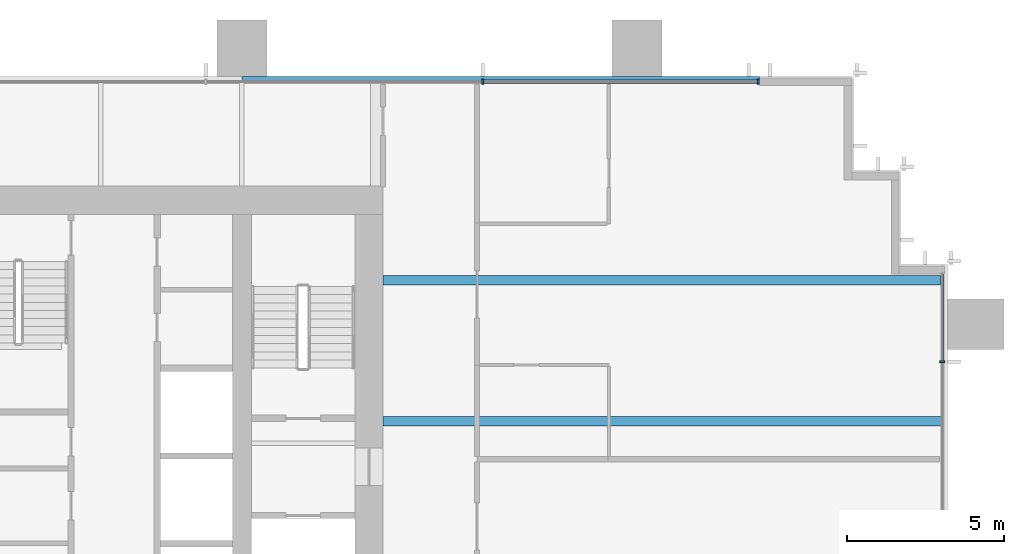
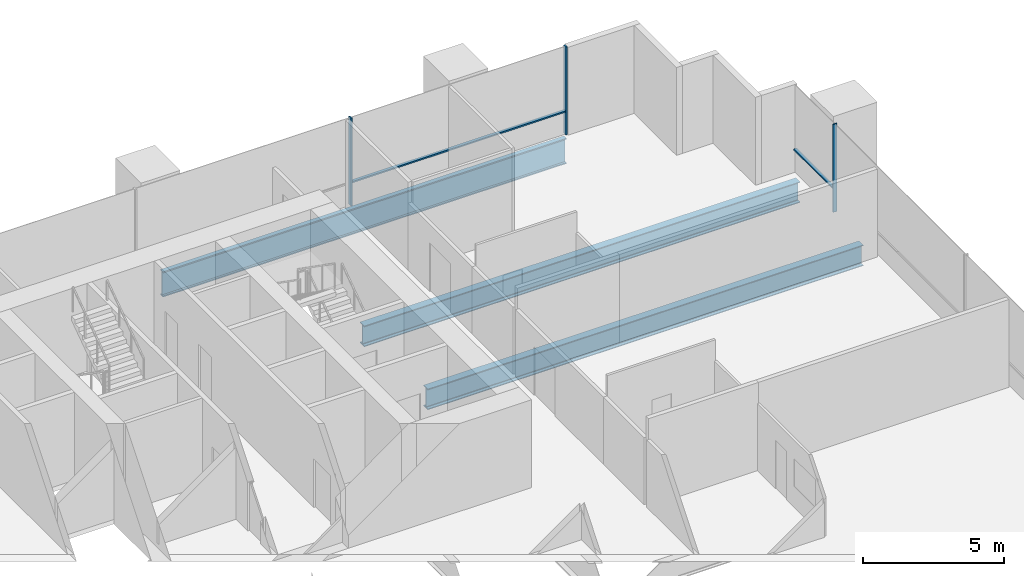
# One storey, part 10 of 17: 5 members, 3 beams, 2 elements without a shape of their own.
"""IFC4 building model written with IfcOpenShell, lengths in metres."""

import ifcopenshell
import ifcopenshell.guid

model = None  # the IFC model being written
_history = None  # IfcOwnerHistory: only IFC2X3 demands one
_inside = {}  # id of a spatial element -> (the spatial element, [elements in it])
_under = {}  # id of a project, library or spatial element -> (it, [spatial elements below it])
_declared = {}  # id of a project -> (the project, [libraries it declares])
_typed = {}  # id of a type object -> (the type object, [elements of that type])
_made_of = {}  # id of a material, layer set ... -> (it, [elements and type objects made of it])


def new_model(schema):
    """Start an empty IFC model of exactly this schema.

    Asked for "IFC4X3", IfcOpenShell would pick the latest addendum, in which some entities
    have other attributes; the version numbers below select the first issue.
    IFC2X3 requires an IfcOwnerHistory on every rooted entity: one is made here for all.
    """
    global model, _history
    if schema == "IFC4X3":
        model = ifcopenshell.file(schema_version=(4, 3, 0, 0))
    else:
        model = ifcopenshell.file(schema=schema)
    _inside.clear()
    _under.clear()
    _declared.clear()
    _typed.clear()
    _made_of.clear()
    _history = None
    if model.schema == "IFC2X3":
        org = make("IfcOrganization", Name="unknown")
        user = make(
            "IfcPersonAndOrganization",
            ThePerson=make("IfcPerson", FamilyName="unknown"),
            TheOrganization=org,
        )
        app = make(
            "IfcApplication",
            ApplicationDeveloper=org,
            Version="unknown",
            ApplicationFullName="unknown",
            ApplicationIdentifier="unknown",
        )
        _history = make(
            "IfcOwnerHistory",
            OwningUser=user,
            OwningApplication=app,
            ChangeAction="ADDED",
            CreationDate=0,
        )
    return model


def make(cls, **values):
    """One entity of the class cls with the attributes given. An attribute that is None is left unset."""
    return model.create_entity(
        cls, **{name: value for name, value in values.items() if value is not None}
    )


def rooted(cls, **values):
    """An entity with a GlobalId (a new one), such as an element, a storey or a relation."""
    return make(cls, GlobalId=ifcopenshell.guid.new(), OwnerHistory=_history, **values)


def si_unit(unit_type, name, prefix=None):
    """IfcSIUnit, for example si_unit("LENGTHUNIT", "METRE", prefix="MILLI")."""
    return make("IfcSIUnit", UnitType=unit_type, Prefix=prefix, Name=name)


def assignment(units):
    """IfcUnitAssignment: the units of a project."""
    return None if units is None else make("IfcUnitAssignment", Units=units)


def point(xyz):
    """IfcCartesianPoint."""
    return None if xyz is None else make("IfcCartesianPoint", Coordinates=xyz)


def direction(xyz):
    """IfcDirection."""
    return None if xyz is None else make("IfcDirection", DirectionRatios=xyz)


def frame(location, z_axis=None, x_axis=None):
    """IfcAxis2Placement3D, a coordinate frame: its origin and axes. An axis left out is left unset."""
    return make(
        "IfcAxis2Placement3D",
        Location=point(location),
        Axis=direction(z_axis),
        RefDirection=direction(x_axis),
    )


def frame_2d(location, x_axis=None):
    """IfcAxis2Placement2D, a coordinate frame in the plane: its origin and x axis."""
    return make(
        "IfcAxis2Placement2D", Location=point(location), RefDirection=direction(x_axis)
    )


def origin():
    """The frame at (0, 0, 0) with its axes left unset."""
    return frame((0.0, 0.0, 0.0))


def origin_2d():
    """The frame at (0, 0) in the plane with its x axis left unset."""
    return frame_2d((0.0, 0.0))


def place(relative_to, where):
    """IfcLocalPlacement: puts the frame where relative to a parent placement (None: the world)."""
    return make(
        "IfcLocalPlacement", PlacementRelTo=relative_to, RelativePlacement=where
    )


def context(
    kind, dimensions, precision=None, world=None, true_north=None, identifier=None
):
    """IfcGeometricRepresentationContext, for example the 3D "Model" context."""
    return make(
        "IfcGeometricRepresentationContext",
        ContextIdentifier=identifier,
        ContextType=kind,
        CoordinateSpaceDimension=dimensions,
        Precision=precision,
        WorldCoordinateSystem=world,
        TrueNorth=true_north,
    )


def subcontext(parent, identifier, kind, view, scale=None):
    """IfcGeometricRepresentationSubContext, for example "Body" below "Model"."""
    return make(
        "IfcGeometricRepresentationSubContext",
        ContextIdentifier=identifier,
        ContextType=kind,
        ParentContext=parent,
        TargetScale=scale,
        TargetView=view,
    )


def project(units=None, contexts=None):
    """IfcProject with its units and contexts."""
    return rooted(
        "IfcProject",
        Name="project",
        RepresentationContexts=contexts,
        UnitsInContext=assignment(units),
    )


def spatial(cls, under=None, at=None, **own):
    """A site, building, storey or space (cls), placed at a placement, below another one or the project."""
    s = rooted(cls, ObjectPlacement=at, **own)
    if under is not None:
        _under.setdefault(under.id(), (under, []))[1].append(s)
    return s


def profile(cls, at=None, kind="AREA", **sizes):
    """A parametric profile (cls). Its sizes go by their IFC names, for example OverallWidth=200.0."""
    return make(cls, ProfileType=kind, Position=at, **sizes)


def rectangle(**sizes):
    """IfcRectangleProfileDef."""
    return profile("IfcRectangleProfileDef", **sizes)


def i_section(**sizes):
    """IfcIShapeProfileDef."""
    return profile("IfcIShapeProfileDef", **sizes)


def extrude(swept, where, along, depth):
    """IfcExtrudedAreaSolid: the profile swept, set in the frame where, extruded along a direction by depth."""
    return make(
        "IfcExtrudedAreaSolid",
        SweptArea=swept,
        Position=where,
        ExtrudedDirection=direction(along),
        Depth=depth,
    )


def shape(context_of_items, identifier, shape_type, items):
    """IfcShapeRepresentation: the items that make up one representation, for example the "Body"."""
    return make(
        "IfcShapeRepresentation",
        ContextOfItems=context_of_items,
        RepresentationIdentifier=identifier,
        RepresentationType=shape_type,
        Items=items,
    )


def material(Name=None, Category=None):
    """IfcMaterial."""
    return make("IfcMaterial", Name=Name, Category=Category)


def material_profile(
    of_material, cross_section, Name=None, Category=None, Priority=None
):
    """IfcMaterialProfile: a cross section and its material."""
    return make(
        "IfcMaterialProfile",
        Name=Name,
        Material=of_material,
        Profile=cross_section,
        Priority=Priority,
        Category=Category,
    )


def profile_set(profiles, Name=None, composite=None):
    """IfcMaterialProfileSet."""
    return make(
        "IfcMaterialProfileSet",
        Name=Name,
        MaterialProfiles=profiles,
        CompositeProfile=composite,
    )


def made_of(thing, what):
    """Note that an element or type object is made of a material, layer set ...; save() writes the relation."""
    if what is not None:
        _made_of.setdefault(what.id(), (what, []))[1].append(thing)
    return thing


def type_object(cls, material=None, **own):
    """A type object (cls), such as IfcWallType, which elements share."""
    return made_of(rooted(cls, **own), material)


def element(
    cls,
    number,
    at=None,
    inside=None,
    cuts=None,
    type_object=None,
    material=None,
    context=None,
    identifier="Body",
    shape_type=None,
    held_by="IfcProductDefinitionShape",
    body=None,
    shapes=None,
    **own,
):
    """One element of the class cls, such as IfcWall. Its Tag is "e" and its number.

    at: its placement. inside: the storey or other place that contains it. cuts: it is an
    opening in that element (IfcRelVoidsElement). A single representation is given by context,
    identifier, shape_type and body (its items); several are given by shapes. held_by: the class
    of the entity that holds the representations. save() writes the other relations.
    """
    e = rooted(cls, Tag="e%d" % number, ObjectPlacement=at, **own)
    if body is not None:
        shapes = [shape(context, identifier, shape_type, body)]
    if shapes is not None:
        e.Representation = make(held_by, Representations=shapes)
    if inside is not None:
        _inside.setdefault(inside.id(), (inside, []))[1].append(e)
    if cuts is not None:
        rooted(
            "IfcRelVoidsElement", RelatingBuildingElement=cuts, RelatedOpeningElement=e
        )
    if type_object is not None:
        _typed.setdefault(type_object.id(), (type_object, []))[1].append(e)
    return made_of(e, material)


def aggregate(whole, parts):
    """IfcRelAggregates: a whole, such as a stair, and the parts it consists of."""
    return rooted("IfcRelAggregates", RelatingObject=whole, RelatedObjects=parts)


def save(model, path):
    """Write the relations noted so far, then the file.

    IfcRelAggregates (storeys below a building ...), IfcRelContainedInSpatialStructure (elements
    in a storey), IfcRelDefinesByType, IfcRelAssociatesMaterial and IfcRelDeclares: one each for
    every whole, place, type object, material and project.
    """
    for whole, parts in _under.values():
        aggregate(whole, parts)
    for where, things in _inside.values():
        rooted(
            "IfcRelContainedInSpatialStructure",
            RelatedElements=things,
            RelatingStructure=where,
        )
    for kind, things in _typed.values():
        rooted("IfcRelDefinesByType", RelatedObjects=things, RelatingType=kind)
    for what, things in _made_of.values():
        rooted("IfcRelAssociatesMaterial", RelatedObjects=things, RelatingMaterial=what)
    for by, libraries in _declared.values():
        rooted("IfcRelDeclares", RelatingContext=by, RelatedDefinitions=libraries)
    model.write(path)


model = new_model("IFC4")

# Units and contexts
model_context = context("Model", 3, precision=1e-05, world=origin(), true_north=direction((0.0, 1.0)))
body_context = subcontext(model_context, "Body", "Model", "MODEL_VIEW")
ifc_project = project(units=[si_unit("LENGTHUNIT", "METRE"), si_unit("AREAUNIT", "SQUARE_METRE"), si_unit("VOLUMEUNIT", "CUBIC_METRE"), si_unit("PLANEANGLEUNIT", "RADIAN"), si_unit("MASSUNIT", "GRAM", prefix="KILO")], contexts=[model_context])

# Site, building, storey
site_placement = place(None, origin())
site = spatial("IfcSite", under=ifc_project, at=site_placement, CompositionType="ELEMENT")
building_placement = place(site_placement, origin())
building = spatial("IfcBuilding", under=site, at=building_placement, Name="Rattan Terrace Tower", CompositionType="ELEMENT")
storey_placement = place(building_placement, frame((0.0, 0.0, 107.699951171875)))
storey = spatial("IfcBuildingStorey", under=building, at=storey_placement, Name="L24", CompositionType="ELEMENT", Elevation=107.699951171875)

# Curtain wall, member
ifc_material_1 = material(Name="Aluminium and glass", Category="aluminium")
curtain_wall_type = type_object("IfcCurtainWallType", Name="Facade Unitised Curtain Wall", PredefinedType="NOTDEFINED", material=ifc_material_1)
curtain_wall_1_placement = place(storey_placement, origin())
curtain_wall_1 = element("IfcCurtainWall", 1, at=curtain_wall_1_placement, inside=storey, type_object=curtain_wall_type, Name="Curtain wall L24-1", PredefinedType="NOTDEFINED")
ifc_material_2 = material(Name="Aluminium", Category="aluminium")
ifc_material_profile_1 = material_profile(ifc_material_2, rectangle(XDim=0.06005859375, YDim=0.159912109375, at=origin_2d()), Name="Aluminium 60x160")
ifc_profile_set_1 = profile_set([ifc_material_profile_1], Name="Aluminium")
member_type_1 = type_object("IfcMemberType", Name="Facade CW Mullion 60x160", PredefinedType="MULLION", material=ifc_profile_set_1)
member_1_placement = place(storey_placement, frame((35.830078125, 1.89990234375, 0.0), z_axis=(0.0, 0.0, 1.0), x_axis=(0.0, 1.0, 0.0)))
member_1 = element("IfcMember", 2, at=member_1_placement, type_object=member_type_1, Name="Mullion cwl-L24-001.4", PredefinedType="MULLION", context=body_context, shape_type="SweptSolid", body=[
    extrude(rectangle(XDim=0.06005859375, YDim=0.159912109375, at=origin_2d()), origin(), (0.0, 0.0, 1.0), 3.800048828125),
])

# Curtain wall, members
curtain_wall_2_placement = place(storey_placement, origin())
curtain_wall_2 = element("IfcCurtainWall", 3, at=curtain_wall_2_placement, inside=storey, type_object=curtain_wall_type, Name="Curtain wall L24-2", PredefinedType="NOTDEFINED")
member_2_placement = place(storey_placement, frame((29.969970703125, 10.830078125, 0.0), z_axis=(0.0, 0.0, 1.0), x_axis=(-1.0, 0.0, 0.0)))
member_2 = element("IfcMember", 4, at=member_2_placement, type_object=member_type_1, Name="Mullion cwl-L24-002.1", PredefinedType="MULLION", context=body_context, shape_type="SweptSolid", body=[
    extrude(rectangle(XDim=0.06005859375, YDim=0.159912109375, at=origin_2d()), origin(), (0.0, 0.0, 1.0), 3.800048828125),
])
member_3_placement = place(storey_placement, frame((21.177001953125, 10.830078125, 0.0), z_axis=(0.0, 0.0, 1.0), x_axis=(-1.0, 0.0, 0.0)))
member_3 = element("IfcMember", 5, at=member_3_placement, type_object=member_type_1, Name="Mullion cwl-L24-002.2", PredefinedType="MULLION", context=body_context, shape_type="SweptSolid", body=[
    extrude(rectangle(XDim=0.06005859375, YDim=0.159912109375, at=origin_2d()), origin(), (0.0, 0.0, 1.0), 3.800048828125),
])

# Member
ifc_material_3 = material(Name="Aluminium", Category="aluminium")
ifc_material_profile_2 = material_profile(ifc_material_3, rectangle(XDim=0.1201171875, YDim=0.06005859375, at=origin_2d()), Name="Aluminium 120x60")
ifc_profile_set_2 = profile_set([ifc_material_profile_2], Name="Aluminium")
member_type_2 = type_object("IfcMemberType", Name="Facade CW Transom 120x60", PredefinedType="USERDEFINED", material=ifc_profile_set_2)
member_4_placement = place(storey_placement, frame((35.830078125, 1.929931640625, 1.0), z_axis=(0.0, 1.0, 0.0), x_axis=(-1.0, 0.0, 0.0)))
member_4 = element("IfcMember", 6, at=member_4_placement, type_object=member_type_2, Name="Transom cwl-L24-001.4", ObjectType="TRANSOM", PredefinedType="USERDEFINED", context=body_context, shape_type="SweptSolid", body=[
    extrude(rectangle(XDim=0.1201171875, YDim=0.06005859375, at=origin_2d()), origin(), (0.0, 0.0, 1.0), 2.775146484375),
])

aggregate(curtain_wall_1, [member_1, member_4])

member_5_placement = place(storey_placement, frame((29.93994140625, 10.830078125, 1.0), z_axis=(-1.0, 0.0, 0.0), x_axis=(0.0, -1.0, 0.0)))
member_5 = element("IfcMember", 7, at=member_5_placement, type_object=member_type_2, Name="Transom cwl-L24-002.1", ObjectType="TRANSOM", PredefinedType="USERDEFINED", context=body_context, shape_type="SweptSolid", body=[
    extrude(rectangle(XDim=0.1201171875, YDim=0.06005859375, at=origin_2d()), origin(), (0.0, 0.0, 1.0), 8.73291015625),
])

aggregate(curtain_wall_2, [member_2, member_3, member_5])

# Beams
ifc_material_4 = material(Name="Steel S460", Category="steel")
ifc_material_profile_3 = material_profile(ifc_material_4, i_section(OverallWidth=0.179931640625, OverallDepth=1.10009765625, WebThickness=0.01611328125, FlangeThickness=0.050048828125, at=origin_2d()), Name="PG 1100x180-16-50")
ifc_profile_set_3 = profile_set([ifc_material_profile_3], Name="Steel S460")
beam_type_1 = type_object("IfcBeamType", Name="Frame edge girder PG 1100x180-16-50", PredefinedType="SPANDREL", material=ifc_profile_set_3)
beam_placement = place(storey_placement, frame((30.0, 10.909912109375, -0.75), z_axis=(-1.0, 0.0, 0.0), x_axis=(0.0, -1.0, 0.0)))
element("IfcBeam", 8, at=beam_placement, inside=storey, type_object=beam_type_1, Name="gdr-L24-008", PredefinedType="SPANDREL", context=body_context, shape_type="SweptSolid", body=[
    extrude(i_section(OverallWidth=0.179931640625, OverallDepth=1.10009765625, WebThickness=0.01611328125, FlangeThickness=0.050048828125, at=origin_2d()), origin(), (0.0, 0.0, 1.0), 16.5),
])
ifc_material_5 = material(Name="Steel S355", Category="steel")
ifc_material_profile_4 = material_profile(ifc_material_5, i_section(OverallWidth=0.300048828125, OverallDepth=0.89990234375, WebThickness=0.0185546875, FlangeThickness=0.034912109375, FilletRadius=0.030029296875, at=origin_2d()), Name="HE 900 B")
ifc_profile_set_4 = profile_set([ifc_material_profile_4], Name="Steel S355")
beam_type_2 = type_object("IfcBeamType", Name="Frame floor beam HE 900 B", PredefinedType="JOIST", material=ifc_profile_set_4)
for number, where, z_axis, x_axis, name in (
    (9, (18.0, 0.0, -0.64990234375), (1.0, 0.0, 0.0), (0.0, 1.0, 0.0), "bm-L24-015"),
    (10, (18.0, 4.5, -0.64990234375), (1.0, 0.0, 0.0), (0.0, 1.0, 0.0), "bm-L24-017"),
):
    element("IfcBeam", number, at=place(storey_placement, frame(where, z_axis=z_axis, x_axis=x_axis)), inside=storey, type_object=beam_type_2, Name=name, PredefinedType="JOIST", context=body_context, shape_type="SweptSolid", body=[
        extrude(i_section(OverallWidth=0.300048828125, OverallDepth=0.89990234375, WebThickness=0.0185546875, FlangeThickness=0.034912109375, FilletRadius=0.030029296875, at=origin_2d()), origin(), (0.0, 0.0, 1.0), 17.820068359375),
    ])

save(model, "model.ifc")
